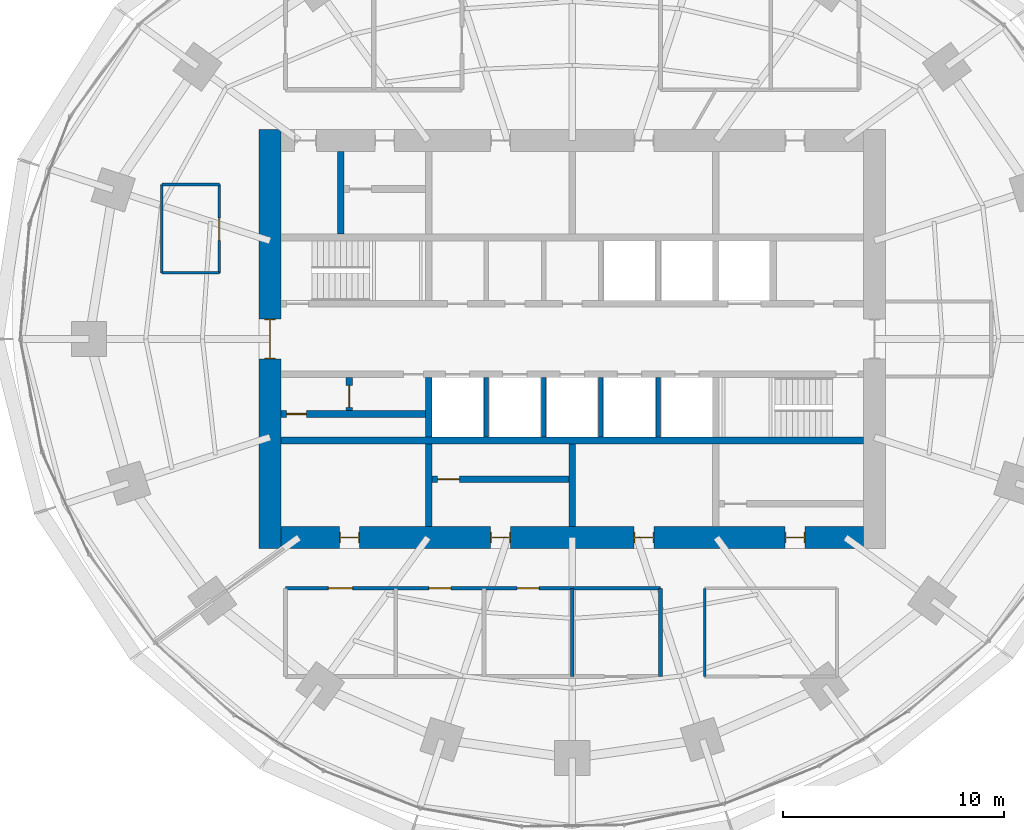
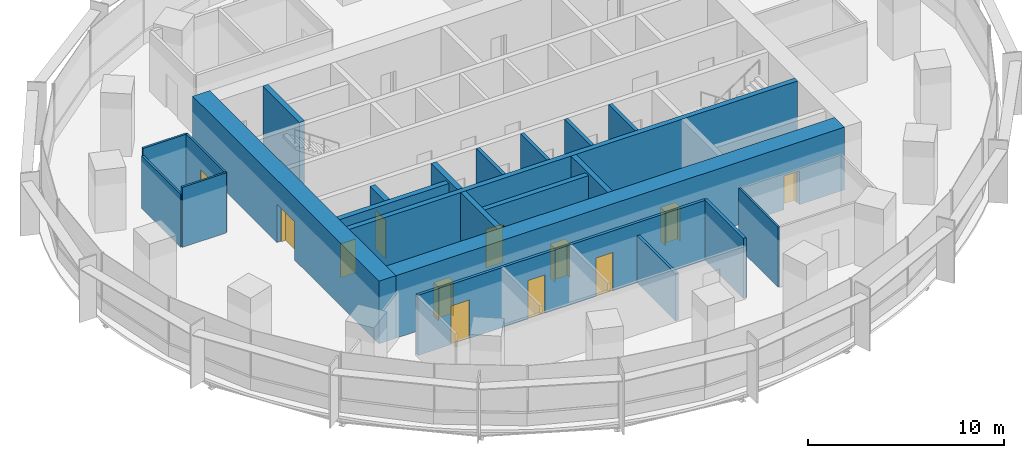
# One storey, part 10 of 14: 22 walls, 12 doors, 12 openings.
"""IFC4 building model written with IfcOpenShell, lengths in metres."""

from ifc_helpers import new_model, si_unit, direction, frame, frame_2d, origin, place, context, subcontext, project, spatial, rectangle, extrude, material, layer, layer_set, type_object, element, fill, save


model = new_model("IFC4")

# Units and contexts
model_context = context("Model", 3, precision=1e-05, world=origin(), true_north=direction((0.0, 1.0)))
body_context = subcontext(model_context, "Body", "Model", "MODEL_VIEW")
ifc_project = project(units=[si_unit("LENGTHUNIT", "METRE"), si_unit("AREAUNIT", "SQUARE_METRE"), si_unit("VOLUMEUNIT", "CUBIC_METRE"), si_unit("PLANEANGLEUNIT", "RADIAN"), si_unit("MASSUNIT", "GRAM", prefix="KILO")], contexts=[model_context])

# Site, building, storey
site_placement = place(None, origin())
site = spatial("IfcSite", under=ifc_project, at=site_placement, CompositionType="ELEMENT")
building_placement = place(site_placement, origin())
building = spatial("IfcBuilding", under=site, at=building_placement, Name="Marramba Exchange Tower", CompositionType="ELEMENT")
storey_placement = place(building_placement, frame((0.0, 0.0, 135.300048828125)))
storey = spatial("IfcBuildingStorey", under=building, at=storey_placement, Name="L32", CompositionType="ELEMENT", Elevation=135.300048828125)

# Wall, openings, doors
ifc_material_1 = material(Name="Plasterboard on staggered double steel studs, acoustic insulation", Category="steel")
ifc_layer_1 = layer(ifc_material_1, 0.169921875)
ifc_layer_set_1 = layer_set([ifc_layer_1], Name="Acoustic partition 170")
wall_type_1 = type_object("IfcWallType", Name="Acoustic partition 170", PredefinedType="PARTITIONING", material=ifc_layer_set_1)
wall_1_placement = place(storey_placement, frame((-13.0, -11.300048828125, 0.0), z_axis=(0.0, 0.0, 1.0), x_axis=(1.0, 0.0, 0.0)))
wall_1 = element("IfcWall", 1, at=wall_1_placement, inside=storey, type_object=wall_type_1, Name="Acoustic partition L32 04", PredefinedType="PARTITIONING", context=body_context, shape_type="SweptSolid", body=[
    extrude(rectangle(XDim=17.0, YDim=0.169921875, at=frame_2d((8.5, 0.0))), origin(), (0.0, 0.0, 1.0), 3.739990234375),
])
opening_1_placement = place(wall_1_placement, frame((1.949951171875, 0.0, 0.0)))
opening_1 = element("IfcOpeningElement", 2, at=opening_1_placement, cuts=wall_1, Name="Opening D15", PredefinedType="OPENING", context=body_context, shape_type="SweptSolid", body=[
    extrude(rectangle(XDim=1.10009765625, YDim=2.39990234375, at=frame_2d((0.550048828125, 1.199951171875))), frame((0.0, 0.094970703125, 0.0), z_axis=(0.0, -1.0, 0.0), x_axis=(1.0, 0.0, 0.0)), (0.0, 0.0, 1.0), 0.18994140625),
])
opening_2_placement = place(wall_1_placement, frame((6.5, 0.0, 0.0)))
opening_2 = element("IfcOpeningElement", 3, at=opening_2_placement, cuts=wall_1, Name="Opening D9", PredefinedType="OPENING", context=body_context, shape_type="SweptSolid", body=[
    extrude(rectangle(XDim=1.0, YDim=2.39990234375, at=frame_2d((0.5, 1.199951171875))), frame((0.0, 0.094970703125, 0.0), z_axis=(0.0, -1.0, 0.0), x_axis=(1.0, 0.0, 0.0)), (0.0, 0.0, 1.0), 0.18994140625),
])
opening_3_placement = place(wall_1_placement, frame((10.5, 0.0, 0.0)))
opening_3 = element("IfcOpeningElement", 4, at=opening_3_placement, cuts=wall_1, Name="Opening D9", PredefinedType="OPENING", context=body_context, shape_type="SweptSolid", body=[
    extrude(rectangle(XDim=1.0, YDim=2.39990234375, at=frame_2d((0.5, 1.199951171875))), frame((0.0, 0.094970703125, 0.0), z_axis=(0.0, -1.0, 0.0), x_axis=(1.0, 0.0, 0.0)), (0.0, 0.0, 1.0), 0.18994140625),
])
ifc_material_2 = material(Name="Timber door", Category="wood")
door_type_1 = type_object("IfcDoorType", Name="Glazed meeting room door 1100x2400", OperationType="SINGLE_SWING_LEFT", PredefinedType="DOOR", material=ifc_material_2)
door_1_placement = place(opening_1_placement, frame((1.10009765625, 0.0, 0.0), z_axis=(0.0, 0.0, 1.0), x_axis=(-1.0, 0.0, 0.0)))
door_1 = element("IfcDoor", 5, at=door_1_placement, inside=storey, type_object=door_type_1, Name="D15 Meeting Room 3 L32", OperationType="SINGLE_SWING_RIGHT", OverallHeight=2.39990234375, OverallWidth=1.10009765625, PredefinedType="DOOR", context=body_context, shape_type="SweptSolid", body=[
    extrude(rectangle(XDim=1.10009765625, YDim=2.39990234375, at=frame_2d((0.550048828125, 1.199951171875))), frame((0.0, 0.025146484375, 0.0), z_axis=(0.0, -1.0, 0.0), x_axis=(1.0, 0.0, 0.0)), (0.0, 0.0, 1.0), 0.050048828125),
])
fill(opening_1, door_1)
door_type_2 = type_object("IfcDoorType", Name="Room door 1000x2400", OperationType="SINGLE_SWING_LEFT", PredefinedType="DOOR", material=ifc_material_2)
door_2_placement = place(opening_2_placement, frame((1.0, 0.0, 0.0), z_axis=(0.0, 0.0, 1.0), x_axis=(-1.0, 0.0, 0.0)))
door_2 = element("IfcDoor", 6, at=door_2_placement, inside=storey, type_object=door_type_2, Name="D9 Quiet Room 1 L32", OperationType="SINGLE_SWING_RIGHT", OverallHeight=2.39990234375, OverallWidth=1.0, PredefinedType="DOOR", context=body_context, shape_type="SweptSolid", body=[
    extrude(rectangle(XDim=1.0, YDim=2.39990234375, at=frame_2d((0.5, 1.199951171875))), frame((0.0, 0.025146484375, 0.0), z_axis=(0.0, -1.0, 0.0), x_axis=(1.0, 0.0, 0.0)), (0.0, 0.0, 1.0), 0.050048828125),
])
fill(opening_2, door_2)
door_3_placement = place(opening_3_placement, frame((1.0, 0.0, 0.0), z_axis=(0.0, 0.0, 1.0), x_axis=(-1.0, 0.0, 0.0)))
door_3 = element("IfcDoor", 7, at=door_3_placement, inside=storey, type_object=door_type_2, Name="D9 Quiet Room 2 L32", OperationType="SINGLE_SWING_RIGHT", OverallHeight=2.39990234375, OverallWidth=1.0, PredefinedType="DOOR", context=body_context, shape_type="SweptSolid", body=[
    extrude(rectangle(XDim=1.0, YDim=2.39990234375, at=frame_2d((0.5, 1.199951171875))), frame((0.0, 0.025146484375, 0.0), z_axis=(0.0, -1.0, 0.0), x_axis=(1.0, 0.0, 0.0)), (0.0, 0.0, 1.0), 0.050048828125),
])
fill(opening_3, door_3)

# Walls
wall_2_placement = place(storey_placement, frame((0.0, -11.300048828125, 0.0), z_axis=(0.0, 0.0, 1.0), x_axis=(0.0, -1.0, 0.0)))
element("IfcWall", 8, at=wall_2_placement, inside=storey, type_object=wall_type_1, Name="Acoustic partition L32 07", PredefinedType="PARTITIONING", context=body_context, shape_type="SweptSolid", body=[
    extrude(rectangle(XDim=4.0, YDim=0.169921875, at=frame_2d((2.0, 0.0))), origin(), (0.0, 0.0, 1.0), 2.93994140625),
])
wall_3_placement = place(storey_placement, frame((4.0, -11.300048828125, 0.0), z_axis=(0.0, 0.0, 1.0), x_axis=(0.0, -1.0, 0.0)))
element("IfcWall", 9, at=wall_3_placement, inside=storey, type_object=wall_type_1, Name="Acoustic partition L32 08", PredefinedType="PARTITIONING", context=body_context, shape_type="SweptSolid", body=[
    extrude(rectangle(XDim=4.0, YDim=0.169921875, at=frame_2d((2.0, 0.0))), origin(), (0.0, 0.0, 1.0), 3.739990234375),
])
ifc_material_3 = material(Name="Concrete N50", Category="concrete")
ifc_layer_2 = layer(ifc_material_3, 0.199951171875)
ifc_layer_set_2 = layer_set([ifc_layer_2], Name="Core shaft wall 200")
wall_type_2 = type_object("IfcWallType", Name="Core shaft wall 200", PredefinedType="SHEAR", material=ifc_layer_set_2)
for number, where, z_axis, x_axis, name in (
    (10, (-3.89990234375, -1.75, 0.0), (0.0, 0.0, 1.0), (0.0, -1.0, 0.0), "Core wall SHS1 L32"),
    (11, (-1.300048828125, -1.75, 0.0), (0.0, 0.0, 1.0), (0.0, -1.0, 0.0), "Core wall SHS2 L32"),
    (12, (1.300048828125, -1.75, 0.0), (0.0, 0.0, 1.0), (0.0, -1.0, 0.0), "Core wall SHS3 L32"),
    (13, (3.89990234375, -1.75, 0.0), (0.0, 0.0, 1.0), (0.0, -1.0, 0.0), "Core wall SHS4 L32"),
):
    element("IfcWall", number, at=place(storey_placement, frame(where, z_axis=z_axis, x_axis=x_axis)), inside=storey, type_object=wall_type_2, Name=name, PredefinedType="SHEAR", context=body_context, shape_type="SweptSolid", body=[
        extrude(rectangle(XDim=2.699951171875, YDim=0.199951171875, at=frame_2d((1.35009765625, 0.0))), origin(), (0.0, 0.0, 1.0), 3.89990234375),
    ])

# Wall, openings, doors
ifc_layer_3 = layer(ifc_material_3, 1.0)
ifc_layer_set_3 = layer_set([ifc_layer_3], Name="Core wall 1000")
wall_type_3 = type_object("IfcWallType", Name="Core wall 1000", PredefinedType="SHEAR", material=ifc_layer_set_3)
wall_4_placement = place(storey_placement, frame((-13.199951171875, -9.0, 0.0), z_axis=(0.0, 0.0, 1.0), x_axis=(1.0, 0.0, 0.0)))
wall_4 = element("IfcWall", 14, at=wall_4_placement, inside=storey, type_object=wall_type_3, Name="Core wall S L32", PredefinedType="SHEAR", context=body_context, shape_type="SweptSolid", body=[
    extrude(rectangle(XDim=26.39990234375, YDim=1.0, at=frame_2d((13.199951171875, 0.0))), origin(), (0.0, 0.0, 1.0), 3.89990234375),
])
opening_4_placement = place(wall_4_placement, frame((2.64990234375, 0.0, 0.0)))
opening_4 = element("IfcOpeningElement", 15, at=opening_4_placement, cuts=wall_4, Name="Opening D5", PredefinedType="OPENING", context=body_context, shape_type="SweptSolid", body=[
    extrude(rectangle(XDim=0.89990234375, YDim=2.10009765625, at=frame_2d((0.449951171875, 1.050048828125))), frame((0.0, 0.510009765625, 0.0), z_axis=(0.0, -1.0, 0.0), x_axis=(1.0, 0.0, 0.0)), (0.0, 0.0, 1.0), 1.02001953125),
])
opening_5_placement = place(wall_4_placement, frame((9.5, 0.0, 0.0)))
opening_5 = element("IfcOpeningElement", 16, at=opening_5_placement, cuts=wall_4, Name="Opening D5", PredefinedType="OPENING", context=body_context, shape_type="SweptSolid", body=[
    extrude(rectangle(XDim=0.89990234375, YDim=2.10009765625, at=frame_2d((0.449951171875, 1.050048828125))), frame((0.0, 0.510009765625, 0.0), z_axis=(0.0, -1.0, 0.0), x_axis=(1.0, 0.0, 0.0)), (0.0, 0.0, 1.0), 1.02001953125),
])
opening_6_placement = place(wall_4_placement, frame((16.0, 0.0, 0.0)))
opening_6 = element("IfcOpeningElement", 17, at=opening_6_placement, cuts=wall_4, Name="Opening D5", PredefinedType="OPENING", context=body_context, shape_type="SweptSolid", body=[
    extrude(rectangle(XDim=0.89990234375, YDim=2.10009765625, at=frame_2d((0.449951171875, 1.050048828125))), frame((0.0, 0.510009765625, 0.0), z_axis=(0.0, -1.0, 0.0), x_axis=(1.0, 0.0, 0.0)), (0.0, 0.0, 1.0), 1.02001953125),
])
opening_7_placement = place(wall_4_placement, frame((22.85009765625, 0.0, 0.0)))
opening_7 = element("IfcOpeningElement", 18, at=opening_7_placement, cuts=wall_4, Name="Opening D5", PredefinedType="OPENING", context=body_context, shape_type="SweptSolid", body=[
    extrude(rectangle(XDim=0.89990234375, YDim=2.10009765625, at=frame_2d((0.449951171875, 1.050048828125))), frame((0.0, 0.510009765625, 0.0), z_axis=(0.0, -1.0, 0.0), x_axis=(1.0, 0.0, 0.0)), (0.0, 0.0, 1.0), 1.02001953125),
])
ifc_material_4 = material(Name="Steel-framed door", Category="steel")
door_type_3 = type_object("IfcDoorType", Name="Service door 900x2100", OperationType="SINGLE_SWING_LEFT", PredefinedType="DOOR", material=ifc_material_4)
door_4_placement = place(opening_4_placement, origin())
door_4 = element("IfcDoor", 19, at=door_4_placement, inside=storey, type_object=door_type_3, Name="D5 ahu L32", OperationType="SINGLE_SWING_LEFT", OverallHeight=2.10009765625, OverallWidth=0.89990234375, PredefinedType="DOOR", context=body_context, shape_type="SweptSolid", body=[
    extrude(rectangle(XDim=0.81982421875, YDim=2.06005859375, at=frame_2d((0.449951171875, 1.030029296875))), frame((0.0, 0.02490234375, 0.0), z_axis=(0.0, -1.0, 0.0), x_axis=(1.0, 0.0, 0.0)), (0.0, 0.0, 1.0), 0.050048828125),
    extrude(rectangle(XDim=0.04, YDim=2.10009765625, at=frame_2d((0.02001953125, 1.050048828125))), frame((0.0, 0.25, 0.0), z_axis=(0.0, -1.0, 0.0), x_axis=(1.0, 0.0, 0.0)), (0.0, 0.0, 1.0), 0.5),
    extrude(rectangle(XDim=0.04, YDim=2.10009765625, at=frame_2d((0.8798828125, 1.050048828125))), frame((0.0, 0.25, 0.0), z_axis=(0.0, -1.0, 0.0), x_axis=(1.0, 0.0, 0.0)), (0.0, 0.0, 1.0), 0.5),
    extrude(rectangle(XDim=0.81982421875, YDim=0.04, at=frame_2d((0.449951171875, 2.080078125))), frame((0.0, 0.25, 0.0), z_axis=(0.0, -1.0, 0.0), x_axis=(1.0, 0.0, 0.0)), (0.0, 0.0, 1.0), 0.5),
])
fill(opening_4, door_4)
door_5_placement = place(opening_5_placement, origin())
door_5 = element("IfcDoor", 20, at=door_5_placement, inside=storey, type_object=door_type_3, Name="D5 store L32", OperationType="SINGLE_SWING_RIGHT", OverallHeight=2.10009765625, OverallWidth=0.89990234375, PredefinedType="DOOR", context=body_context, shape_type="SweptSolid", body=[
    extrude(rectangle(XDim=0.81982421875, YDim=2.06005859375, at=frame_2d((0.449951171875, 1.030029296875))), frame((0.0, 0.02490234375, 0.0), z_axis=(0.0, -1.0, 0.0), x_axis=(1.0, 0.0, 0.0)), (0.0, 0.0, 1.0), 0.050048828125),
    extrude(rectangle(XDim=0.04, YDim=2.10009765625, at=frame_2d((0.02001953125, 1.050048828125))), frame((0.0, 0.25, 0.0), z_axis=(0.0, -1.0, 0.0), x_axis=(1.0, 0.0, 0.0)), (0.0, 0.0, 1.0), 0.5),
    extrude(rectangle(XDim=0.04, YDim=2.10009765625, at=frame_2d((0.8798828125, 1.050048828125))), frame((0.0, 0.25, 0.0), z_axis=(0.0, -1.0, 0.0), x_axis=(1.0, 0.0, 0.0)), (0.0, 0.0, 1.0), 0.5),
    extrude(rectangle(XDim=0.81982421875, YDim=0.04, at=frame_2d((0.449951171875, 2.080078125))), frame((0.0, 0.25, 0.0), z_axis=(0.0, -1.0, 0.0), x_axis=(1.0, 0.0, 0.0)), (0.0, 0.0, 1.0), 0.5),
])
fill(opening_5, door_5)
door_6_placement = place(opening_6_placement, origin())
door_6 = element("IfcDoor", 21, at=door_6_placement, inside=storey, type_object=door_type_3, Name="D5 switch L32", OperationType="SINGLE_SWING_RIGHT", OverallHeight=2.10009765625, OverallWidth=0.89990234375, PredefinedType="DOOR", context=body_context, shape_type="SweptSolid", body=[
    extrude(rectangle(XDim=0.81982421875, YDim=2.06005859375, at=frame_2d((0.449951171875, 1.030029296875))), frame((0.0, 0.02490234375, 0.0), z_axis=(0.0, -1.0, 0.0), x_axis=(1.0, 0.0, 0.0)), (0.0, 0.0, 1.0), 0.050048828125),
    extrude(rectangle(XDim=0.04, YDim=2.10009765625, at=frame_2d((0.02001953125, 1.050048828125))), frame((0.0, 0.25, 0.0), z_axis=(0.0, -1.0, 0.0), x_axis=(1.0, 0.0, 0.0)), (0.0, 0.0, 1.0), 0.5),
    extrude(rectangle(XDim=0.04, YDim=2.10009765625, at=frame_2d((0.8798828125, 1.050048828125))), frame((0.0, 0.25, 0.0), z_axis=(0.0, -1.0, 0.0), x_axis=(1.0, 0.0, 0.0)), (0.0, 0.0, 1.0), 0.5),
    extrude(rectangle(XDim=0.81982421875, YDim=0.04, at=frame_2d((0.449951171875, 2.080078125))), frame((0.0, 0.25, 0.0), z_axis=(0.0, -1.0, 0.0), x_axis=(1.0, 0.0, 0.0)), (0.0, 0.0, 1.0), 0.5),
])
fill(opening_6, door_6)
door_7_placement = place(opening_7_placement, origin())
door_7 = element("IfcDoor", 22, at=door_7_placement, inside=storey, type_object=door_type_3, Name="D5 cstore L32", OperationType="SINGLE_SWING_RIGHT", OverallHeight=2.10009765625, OverallWidth=0.89990234375, PredefinedType="DOOR", context=body_context, shape_type="SweptSolid", body=[
    extrude(rectangle(XDim=0.81982421875, YDim=2.06005859375, at=frame_2d((0.449951171875, 1.030029296875))), frame((0.0, 0.02490234375, 0.0), z_axis=(0.0, -1.0, 0.0), x_axis=(1.0, 0.0, 0.0)), (0.0, 0.0, 1.0), 0.050048828125),
    extrude(rectangle(XDim=0.04, YDim=2.10009765625, at=frame_2d((0.02001953125, 1.050048828125))), frame((0.0, 0.25, 0.0), z_axis=(0.0, -1.0, 0.0), x_axis=(1.0, 0.0, 0.0)), (0.0, 0.0, 1.0), 0.5),
    extrude(rectangle(XDim=0.04, YDim=2.10009765625, at=frame_2d((0.8798828125, 1.050048828125))), frame((0.0, 0.25, 0.0), z_axis=(0.0, -1.0, 0.0), x_axis=(1.0, 0.0, 0.0)), (0.0, 0.0, 1.0), 0.5),
    extrude(rectangle(XDim=0.81982421875, YDim=0.04, at=frame_2d((0.449951171875, 2.080078125))), frame((0.0, 0.25, 0.0), z_axis=(0.0, -1.0, 0.0), x_axis=(1.0, 0.0, 0.0)), (0.0, 0.0, 1.0), 0.5),
])
fill(opening_7, door_7)

# Wall, opening, door
wall_5_placement = place(storey_placement, frame((-13.699951171875, 9.5, 0.0), z_axis=(0.0, 0.0, 1.0), x_axis=(0.0, -1.0, 0.0)))
wall_5 = element("IfcWall", 23, at=wall_5_placement, inside=storey, type_object=wall_type_3, Name="Core wall W L32", PredefinedType="SHEAR", context=body_context, shape_type="SweptSolid", body=[
    extrude(rectangle(XDim=19.0, YDim=1.0, at=frame_2d((9.5, 0.0))), origin(), (0.0, 0.0, 1.0), 3.89990234375),
])
opening_8_placement = place(wall_5_placement, frame((8.60009765625, 0.0, 0.0)))
opening_8 = element("IfcOpeningElement", 24, at=opening_8_placement, cuts=wall_5, Name="Opening D1", PredefinedType="OPENING", context=body_context, shape_type="SweptSolid", body=[
    extrude(rectangle(XDim=1.800048828125, YDim=2.39990234375, at=frame_2d((0.89990234375, 1.199951171875))), frame((0.0, 0.510009765625, 0.0), z_axis=(0.0, -1.0, 0.0), x_axis=(1.0, 0.0, 0.0)), (0.0, 0.0, 1.0), 1.02001953125),
])
door_type_4 = type_object("IfcDoorType", Name="Lobby exit door 1800x2400", OperationType="DOUBLE_DOOR_SINGLE_SWING", PredefinedType="DOOR", material=ifc_material_4)
door_8_placement = place(opening_8_placement, origin())
door_8 = element("IfcDoor", 25, at=door_8_placement, inside=storey, type_object=door_type_4, Name="D1 lobby exit west L32", OperationType="DOUBLE_DOOR_SINGLE_SWING", OverallHeight=2.39990234375, OverallWidth=1.800048828125, PredefinedType="DOOR", context=body_context, shape_type="SweptSolid", body=[
    extrude(rectangle(XDim=1.719970703125, YDim=2.35986328125, at=frame_2d((0.89990234375, 1.179931640625))), frame((0.0, 0.02490234375, 0.0), z_axis=(0.0, -1.0, 0.0), x_axis=(1.0, 0.0, 0.0)), (0.0, 0.0, 1.0), 0.050048828125),
    extrude(rectangle(XDim=0.04, YDim=2.39990234375, at=frame_2d((0.02001953125, 1.199951171875))), frame((0.0, 0.25, 0.0), z_axis=(0.0, -1.0, 0.0), x_axis=(1.0, 0.0, 0.0)), (0.0, 0.0, 1.0), 0.5),
    extrude(rectangle(XDim=0.04, YDim=2.39990234375, at=frame_2d((1.780029296875, 1.199951171875))), frame((0.0, 0.25, 0.0), z_axis=(0.0, -1.0, 0.0), x_axis=(1.0, 0.0, 0.0)), (0.0, 0.0, 1.0), 0.5),
    extrude(rectangle(XDim=1.719970703125, YDim=0.04, at=frame_2d((0.89990234375, 2.3798828125))), frame((0.0, 0.25, 0.0), z_axis=(0.0, -1.0, 0.0), x_axis=(1.0, 0.0, 0.0)), (0.0, 0.0, 1.0), 0.5),
])
fill(opening_8, door_8)

# Walls
ifc_layer_4 = layer(ifc_material_3, 0.300048828125)
ifc_layer_set_4 = layer_set([ifc_layer_4], Name="Core wall 300")
wall_type_4 = type_object("IfcWallType", Name="Core wall 300", PredefinedType="SHEAR", material=ifc_layer_set_4)
wall_6_placement = place(storey_placement, frame((-13.199951171875, -4.60009765625, 0.0), z_axis=(0.0, 0.0, 1.0), x_axis=(1.0, 0.0, 0.0)))
element("IfcWall", 26, at=wall_6_placement, inside=storey, type_object=wall_type_4, Name="Core wall BS L32", PredefinedType="SHEAR", context=body_context, shape_type="SweptSolid", body=[
    extrude(rectangle(XDim=26.39990234375, YDim=0.300048828125, at=frame_2d((13.199951171875, 0.0))), origin(), (0.0, 0.0, 1.0), 3.89990234375),
])
wall_7_placement = place(storey_placement, frame((-6.5, -1.75, 0.0), z_axis=(0.0, 0.0, 1.0), x_axis=(0.0, -1.0, 0.0)))
element("IfcWall", 27, at=wall_7_placement, inside=storey, type_object=wall_type_4, Name="Core wall X0Sa L32", PredefinedType="SHEAR", context=body_context, shape_type="SweptSolid", body=[
    extrude(rectangle(XDim=2.699951171875, YDim=0.300048828125, at=frame_2d((1.35009765625, 0.0))), origin(), (0.0, 0.0, 1.0), 3.89990234375),
])
for number, where, z_axis, x_axis, name in (
    (28, (-6.5, -4.75, 0.0), (0.0, 0.0, 1.0), (0.0, -1.0, 0.0), "Core wall X0Sb L32"),
    (29, (0.0, -4.75, 0.0), (0.0, 0.0, 1.0), (0.0, -1.0, 0.0), "Core wall MS L32"),
    (30, (-10.5, 4.75, 0.0), (0.0, 0.0, 1.0), (0.0, 1.0, 0.0), "Core wall WD L32"),
):
    element("IfcWall", number, at=place(storey_placement, frame(where, z_axis=z_axis, x_axis=x_axis)), inside=storey, type_object=wall_type_4, Name=name, PredefinedType="SHEAR", context=body_context, shape_type="SweptSolid", body=[
        extrude(rectangle(XDim=3.75, YDim=0.300048828125, at=frame_2d((1.875, 0.0))), origin(), (0.0, 0.0, 1.0), 3.89990234375),
    ])
ifc_material_5 = material(Name="Plasterboard on steel studs", Category="steel")
ifc_layer_5 = layer(ifc_material_5, 0.1201171875)
ifc_layer_set_5 = layer_set([ifc_layer_5], Name="Partition 120")
wall_type_5 = type_object("IfcWallType", Name="Partition 120", PredefinedType="PARTITIONING", material=ifc_layer_set_5)
wall_8_placement = place(storey_placement, frame((6.0, -15.300048828125, 0.0), z_axis=(0.0, 0.0, 1.0), x_axis=(0.0, 1.0, 0.0)))
element("IfcWall", 31, at=wall_8_placement, inside=storey, type_object=wall_type_5, Name="Partition L32 09", PredefinedType="PARTITIONING", context=body_context, shape_type="SweptSolid", body=[
    extrude(rectangle(XDim=4.0, YDim=0.1201171875, at=frame_2d((2.0, 0.0))), origin(), (0.0, 0.0, 1.0), 3.739990234375),
])
wall_9_placement = place(storey_placement, frame((-18.60009765625, 7.0, 0.0), z_axis=(0.0, 0.0, 1.0), x_axis=(1.0, 0.0, 0.0)))
element("IfcWall", 32, at=wall_9_placement, inside=storey, type_object=wall_type_5, Name="Partition L32 28", PredefinedType="PARTITIONING", context=body_context, shape_type="SweptSolid", body=[
    extrude(rectangle(XDim=2.60009765625, YDim=0.1201171875, at=frame_2d((1.300048828125, 0.0))), origin(), (0.0, 0.0, 1.0), 3.739990234375),
])

# Wall, opening, door
wall_10_placement = place(storey_placement, frame((-16.0, 7.0, 0.0), z_axis=(0.0, 0.0, 1.0), x_axis=(0.0, -1.0, 0.0)))
wall_10 = element("IfcWall", 33, at=wall_10_placement, inside=storey, type_object=wall_type_5, Name="Partition L32 29", PredefinedType="PARTITIONING", context=body_context, shape_type="SweptSolid", body=[
    extrude(rectangle(XDim=4.0, YDim=0.1201171875, at=frame_2d((2.0, 0.0))), origin(), (0.0, 0.0, 1.0), 3.739990234375),
])
opening_9_placement = place(wall_10_placement, frame((1.52587890625, 0.0, 0.0)))
opening_9 = element("IfcOpeningElement", 34, at=opening_9_placement, cuts=wall_10, Name="Opening D9", PredefinedType="OPENING", context=body_context, shape_type="SweptSolid", body=[
    extrude(rectangle(XDim=1.0, YDim=2.39990234375, at=frame_2d((0.5, 1.199951171875))), frame((0.0, 0.070068359375, 0.0), z_axis=(0.0, -1.0, 0.0), x_axis=(1.0, 0.0, 0.0)), (0.0, 0.0, 1.0), 0.14013671875),
])
door_9_placement = place(opening_9_placement, frame((1.0, 0.0, 0.0), z_axis=(0.0, 0.0, 1.0), x_axis=(-1.0, 0.0, 0.0)))
door_9 = element("IfcDoor", 35, at=door_9_placement, inside=storey, type_object=door_type_2, Name="D9 Print Room L32", OperationType="SINGLE_SWING_LEFT", OverallHeight=2.39990234375, OverallWidth=1.0, PredefinedType="DOOR", context=body_context, shape_type="SweptSolid", body=[
    extrude(rectangle(XDim=1.0, YDim=2.39990234375, at=frame_2d((0.5, 1.199951171875))), frame((0.0, 0.025146484375, 0.0), z_axis=(0.0, -1.0, 0.0), x_axis=(1.0, 0.0, 0.0)), (0.0, 0.0, 1.0), 0.050048828125),
])
fill(opening_9, door_9)

# Walls
wall_11_placement = place(storey_placement, frame((-18.60009765625, 3.0, 0.0), z_axis=(0.0, 0.0, 1.0), x_axis=(0.0, 1.0, 0.0)))
element("IfcWall", 36, at=wall_11_placement, inside=storey, type_object=wall_type_5, Name="Partition L32 30", PredefinedType="PARTITIONING", context=body_context, shape_type="SweptSolid", body=[
    extrude(rectangle(XDim=4.0, YDim=0.1201171875, at=frame_2d((2.0, 0.0))), origin(), (0.0, 0.0, 1.0), 3.285888671875),
])
wall_12_placement = place(storey_placement, frame((-16.0, 3.0, 0.0), z_axis=(0.0, 0.0, 1.0), x_axis=(-1.0, 0.0, 0.0)))
element("IfcWall", 37, at=wall_12_placement, inside=storey, type_object=wall_type_5, Name="Partition L32 31", PredefinedType="PARTITIONING", context=body_context, shape_type="SweptSolid", body=[
    extrude(rectangle(XDim=2.60009765625, YDim=0.1201171875, at=frame_2d((1.300048828125, 0.0))), origin(), (0.0, 0.0, 1.0), 3.739990234375),
])

# Wall, opening, door
ifc_material_6 = material(Name="Core-filled concrete blockwork", Category="masonry")
ifc_layer_6 = layer(ifc_material_6, 0.300048828125)
ifc_layer_set_6 = layer_set([ifc_layer_6], Name="Riser enclosure wall 300")
wall_type_6 = type_object("IfcWallType", Name="Riser enclosure wall 300", PredefinedType="SOLIDWALL", material=ifc_layer_set_6)
wall_13_placement = place(storey_placement, frame((-13.199951171875, -3.39990234375, 0.0), z_axis=(0.0, 0.0, 1.0), x_axis=(1.0, 0.0, 0.0)))
wall_13 = element("IfcWall", 38, at=wall_13_placement, inside=storey, type_object=wall_type_6, Name="Riser enclosure wall L32", PredefinedType="SOLIDWALL", context=body_context, shape_type="SweptSolid", body=[
    extrude(rectangle(XDim=6.550048828125, YDim=0.300048828125, at=frame_2d((3.27490234375, 0.0))), origin(), (0.0, 0.0, 1.0), 3.739990234375),
])
opening_10_placement = place(wall_13_placement, frame((0.25, 0.0, 0.0)))
opening_10 = element("IfcOpeningElement", 39, at=opening_10_placement, cuts=wall_13, Name="Opening D5", PredefinedType="OPENING", context=body_context, shape_type="SweptSolid", body=[
    extrude(rectangle(XDim=0.89990234375, YDim=2.10009765625, at=frame_2d((0.449951171875, 1.050048828125))), frame((0.0, 0.159912109375, 0.0), z_axis=(0.0, -1.0, 0.0), x_axis=(1.0, 0.0, 0.0)), (0.0, 0.0, 1.0), 0.320068359375),
])
door_10_placement = place(opening_10_placement, origin())
door_10 = element("IfcDoor", 40, at=door_10_placement, inside=storey, type_object=door_type_3, Name="D5 electrical riser back L32", OperationType="SINGLE_SWING_LEFT", OverallHeight=2.10009765625, OverallWidth=0.89990234375, PredefinedType="DOOR", context=body_context, shape_type="SweptSolid", body=[
    extrude(rectangle(XDim=0.89990234375, YDim=2.10009765625, at=frame_2d((0.449951171875, 1.050048828125))), frame((0.0, 0.02490234375, 0.0), z_axis=(0.0, -1.0, 0.0), x_axis=(1.0, 0.0, 0.0)), (0.0, 0.0, 1.0), 0.050048828125),
])
fill(opening_10, door_10)

ifc_material_7 = material(Name="Plasterboard on steel studs, insulated, unrated", Category="steel")
ifc_layer_7 = layer(ifc_material_7, 0.300048828125)
ifc_layer_set_7 = layer_set([ifc_layer_7], Name="Store partition 300")
wall_type_7 = type_object("IfcWallType", Name="Store partition 300", PredefinedType="PARTITIONING", material=ifc_layer_set_7)
wall_14_placement = place(storey_placement, frame((-6.35009765625, -6.360107421875, 0.0), z_axis=(0.0, 0.0, 1.0), x_axis=(1.0, 0.0, 0.0)))
wall_14 = element("IfcWall", 41, at=wall_14_placement, inside=storey, type_object=wall_type_7, Name="Store partition L32 store", PredefinedType="PARTITIONING", context=body_context, shape_type="SweptSolid", body=[
    extrude(rectangle(XDim=6.2001953125, YDim=0.300048828125, at=frame_2d((3.10009765625, 0.0))), origin(), (0.0, 0.0, 1.0), 3.739990234375),
])
opening_11_placement = place(wall_14_placement, frame((0.25, 0.0, 0.0)))
opening_11 = element("IfcOpeningElement", 42, at=opening_11_placement, cuts=wall_14, Name="Opening D9", PredefinedType="OPENING", context=body_context, shape_type="SweptSolid", body=[
    extrude(rectangle(XDim=1.0, YDim=2.39990234375, at=frame_2d((0.5, 1.199951171875))), frame((0.0, 0.159912109375, 0.0), z_axis=(0.0, -1.0, 0.0), x_axis=(1.0, 0.0, 0.0)), (0.0, 0.0, 1.0), 0.320068359375),
])
door_11_placement = place(opening_11_placement, origin())
door_11 = element("IfcDoor", 43, at=door_11_placement, inside=storey, type_object=door_type_2, Name="D9 stationery store L32", OperationType="SINGLE_SWING_LEFT", OverallHeight=2.39990234375, OverallWidth=1.0, PredefinedType="DOOR", context=body_context, shape_type="SweptSolid", body=[
    extrude(rectangle(XDim=1.0, YDim=2.39990234375, at=frame_2d((0.5, 1.199951171875))), frame((0.0, 0.02490234375, 0.0), z_axis=(0.0, -1.0, 0.0), x_axis=(1.0, 0.0, 0.0)), (0.0, 0.0, 1.0), 0.050048828125),
])
fill(opening_11, door_11)

wall_15_placement = place(storey_placement, frame((-10.10009765625, -3.25, 0.0), z_axis=(0.0, 0.0, 1.0), x_axis=(0.0, 1.0, 0.0)))
wall_15 = element("IfcWall", 44, at=wall_15_placement, inside=storey, type_object=wall_type_7, Name="Store partition L32 tool store", PredefinedType="PARTITIONING", context=body_context, shape_type="SweptSolid", body=[
    extrude(rectangle(XDim=1.5, YDim=0.300048828125, at=frame_2d((0.75, 0.0))), origin(), (0.0, 0.0, 1.0), 3.739990234375),
])
opening_12_placement = place(wall_15_placement, frame((0.14990234375, 0.0, 0.0)))
opening_12 = element("IfcOpeningElement", 45, at=opening_12_placement, cuts=wall_15, Name="Opening D9", PredefinedType="OPENING", context=body_context, shape_type="SweptSolid", body=[
    extrude(rectangle(XDim=1.0, YDim=2.39990234375, at=frame_2d((0.5, 1.199951171875))), frame((0.0, 0.159912109375, 0.0), z_axis=(0.0, -1.0, 0.0), x_axis=(1.0, 0.0, 0.0)), (0.0, 0.0, 1.0), 0.320068359375),
])
door_12_placement = place(opening_12_placement, origin())
door_12 = element("IfcDoor", 46, at=door_12_placement, inside=storey, type_object=door_type_2, Name="D9 tool store L32", OperationType="SINGLE_SWING_LEFT", OverallHeight=2.39990234375, OverallWidth=1.0, PredefinedType="DOOR", context=body_context, shape_type="SweptSolid", body=[
    extrude(rectangle(XDim=1.0, YDim=2.39990234375, at=frame_2d((0.5, 1.199951171875))), frame((0.0, 0.02490234375, 0.0), z_axis=(0.0, -1.0, 0.0), x_axis=(1.0, 0.0, 0.0)), (0.0, 0.0, 1.0), 0.050048828125),
])
fill(opening_12, door_12)

save(model, "model.ifc")
